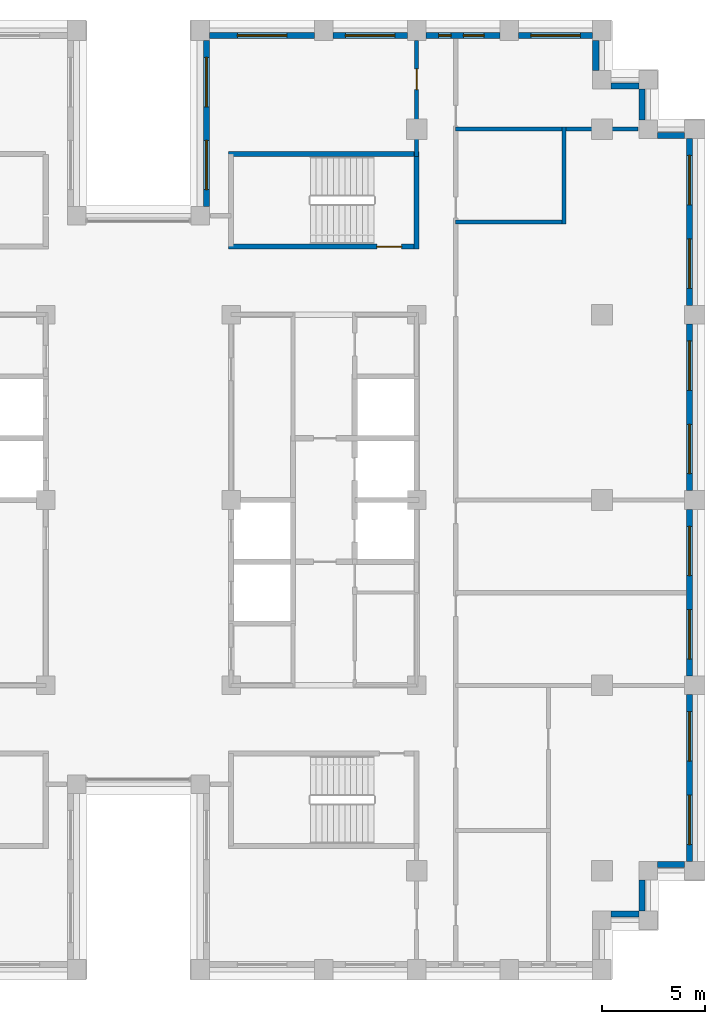
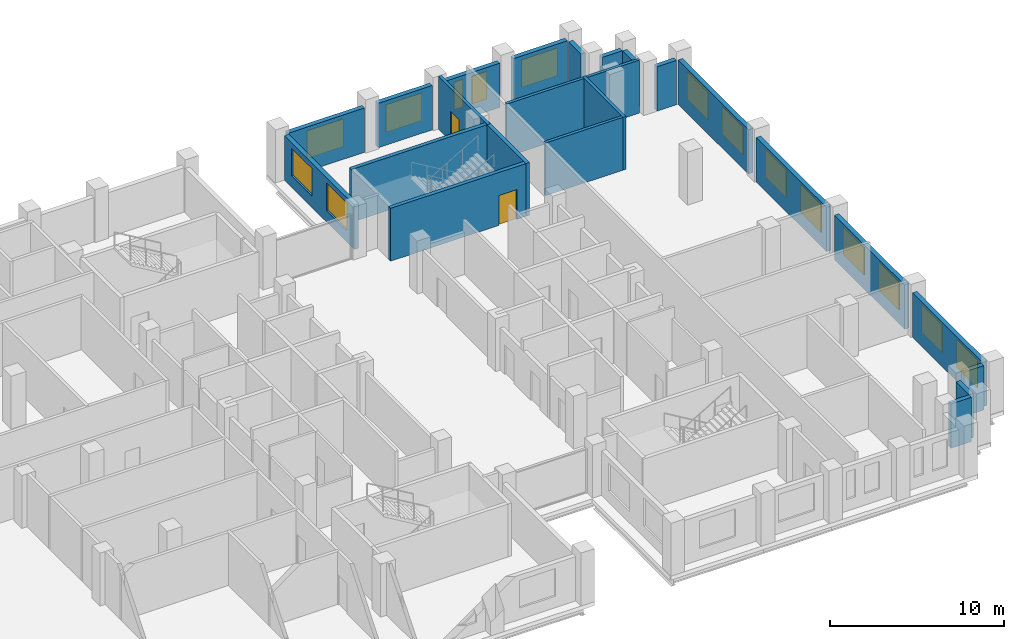
# One storey, part 11 of 15: 23 walls, 15 windows, 2 doors, 17 openings.
"""IFC4 building model written with IfcOpenShell, lengths in metres."""

from ifc_helpers import new_model, si_unit, direction, frame, frame_2d, origin, place, context, subcontext, project, spatial, rectangle, extrude, material, layer, layer_set, type_object, element, fill, save


model = new_model("IFC4")

# Units and contexts
model_context = context("Model", 3, precision=1e-05, world=origin(), true_north=direction((0.0, 1.0)))
body_context = subcontext(model_context, "Body", "Model", "MODEL_VIEW")
ifc_project = project(units=[si_unit("LENGTHUNIT", "METRE"), si_unit("AREAUNIT", "SQUARE_METRE"), si_unit("VOLUMEUNIT", "CUBIC_METRE"), si_unit("PLANEANGLEUNIT", "RADIAN"), si_unit("MASSUNIT", "GRAM", prefix="KILO")], contexts=[model_context])

# Site, building, storey
site_placement = place(None, origin())
site = spatial("IfcSite", under=ifc_project, at=site_placement, CompositionType="ELEMENT")
building_placement = place(site_placement, origin())
building = spatial("IfcBuilding", under=site, at=building_placement, Name="Corbelhall Arena Tower", CompositionType="ELEMENT")
storey_placement = place(building_placement, frame((0.0, 0.0, 212.0)))
storey = spatial("IfcBuildingStorey", under=building, at=storey_placement, Name="L44", CompositionType="ELEMENT", Elevation=212.0)

# Walls
ifc_material_1 = material(Name="Precast concrete C40/50 with granite facing", Category="masonry")
ifc_layer_1 = layer(ifc_material_1, 0.300048828125)
ifc_layer_set_1 = layer_set([ifc_layer_1], Name="EV-IW1 Infill panel 300")
wall_type_1 = type_object("IfcWallType", Name="EV-IW1 Infill panel 300", PredefinedType="SOLIDWALL", material=ifc_layer_set_1)
wall_1_placement = place(storey_placement, frame((22.949951171875, -20.10009765625, 0.0), z_axis=(0.0, 0.0, 1.0), x_axis=(1.0, 0.0, 0.0)))
element("IfcWall", 1, at=wall_1_placement, inside=storey, type_object=wall_type_1, Name="Infill panel IW1", PredefinedType="SOLIDWALL", context=body_context, shape_type="SweptSolid", body=[
    extrude(rectangle(XDim=1.35009765625, YDim=0.300048828125, at=frame_2d((0.675048828125, 0.0))), origin(), (0.0, 0.0, 1.0), 3.1201171875),
])
wall_2_placement = place(storey_placement, frame((24.449951171875, -19.949951171875, 0.0), z_axis=(0.0, 0.0, 1.0), x_axis=(0.0, 1.0, 0.0)))
element("IfcWall", 2, at=wall_2_placement, inside=storey, type_object=wall_type_1, Name="Infill panel IW1", PredefinedType="SOLIDWALL", context=body_context, shape_type="SweptSolid", body=[
    extrude(rectangle(XDim=1.5, YDim=0.300048828125, at=frame_2d((0.75, 0.0))), origin(), (0.0, 0.0, 1.0), 3.1201171875),
])
wall_3_placement = place(storey_placement, frame((25.199951171875, -17.699951171875, 0.0), z_axis=(0.0, 0.0, 1.0), x_axis=(1.0, 0.0, 0.0)))
element("IfcWall", 3, at=wall_3_placement, inside=storey, type_object=wall_type_1, Name="Infill panel IW1", PredefinedType="SOLIDWALL", context=body_context, shape_type="SweptSolid", body=[
    extrude(rectangle(XDim=1.300048828125, YDim=0.300048828125, at=frame_2d((0.64990234375, 0.0))), origin(), (0.0, 0.0, 1.0), 3.1201171875),
])

# Wall, openings, windows
wall_4_placement = place(storey_placement, frame((26.75, -17.550048828125, 0.0), z_axis=(0.0, 0.0, 1.0), x_axis=(0.0, 1.0, 0.0)))
wall_4 = element("IfcWall", 4, at=wall_4_placement, inside=storey, type_object=wall_type_1, Name="Infill panel IW1", PredefinedType="SOLIDWALL", context=body_context, shape_type="SweptSolid", body=[
    extrude(rectangle(XDim=8.10009765625, YDim=0.300048828125, at=frame_2d((4.050048828125, 0.0))), origin(), (0.0, 0.0, 1.0), 3.1201171875),
])
opening_1_placement = place(wall_4_placement, frame((0.824951171875, 0.0, 0.800048828125)))
opening_1 = element("IfcOpeningElement", 5, at=opening_1_placement, cuts=wall_4, Name="Opening WN1", PredefinedType="OPENING", context=body_context, shape_type="SweptSolid", body=[
    extrude(rectangle(XDim=2.39990234375, YDim=1.949951171875, at=frame_2d((1.199951171875, 0.97509765625))), frame((0.0, 0.14990234375, 0.0), z_axis=(0.0, -1.0, 0.0), x_axis=(1.0, 0.0, 0.0)), (0.0, 0.0, 1.0), 0.300048828125),
])
opening_2_placement = place(wall_4_placement, frame((4.875, 0.0, 0.800048828125)))
opening_2 = element("IfcOpeningElement", 6, at=opening_2_placement, cuts=wall_4, Name="Opening WN1", PredefinedType="OPENING", context=body_context, shape_type="SweptSolid", body=[
    extrude(rectangle(XDim=2.39990234375, YDim=1.949951171875, at=frame_2d((1.199951171875, 0.97509765625))), frame((0.0, 0.14990234375, 0.0), z_axis=(0.0, -1.0, 0.0), x_axis=(1.0, 0.0, 0.0)), (0.0, 0.0, 1.0), 0.300048828125),
])
ifc_material_2 = material(Name="Aluminium black anodised", Category="aluminium")
window_type_1 = type_object("IfcWindowType", Name="EV-WN1 Office window", PartitioningType="SINGLE_PANEL", PredefinedType="WINDOW", material=ifc_material_2)
window_1_placement = place(opening_1_placement, origin())
window_1 = element("IfcWindow", 7, at=window_1_placement, inside=storey, type_object=window_type_1, Name="Window WN1", OverallHeight=1.949951171875, OverallWidth=2.39990234375, PartitioningType="SINGLE_PANEL", PredefinedType="WINDOW", context=body_context, shape_type="SweptSolid", body=[
    extrude(rectangle(XDim=2.39990234375, YDim=1.949951171875, at=frame_2d((1.199951171875, 0.97509765625))), frame((0.0, 0.030029296875, 0.0), z_axis=(0.0, -1.0, 0.0), x_axis=(1.0, 0.0, 0.0)), (0.0, 0.0, 1.0), 0.06005859375),
])
fill(opening_1, window_1)
window_2_placement = place(opening_2_placement, origin())
window_2 = element("IfcWindow", 8, at=window_2_placement, inside=storey, type_object=window_type_1, Name="Window WN1", OverallHeight=1.949951171875, OverallWidth=2.39990234375, PartitioningType="SINGLE_PANEL", PredefinedType="WINDOW", context=body_context, shape_type="SweptSolid", body=[
    extrude(rectangle(XDim=2.39990234375, YDim=1.949951171875, at=frame_2d((1.199951171875, 0.97509765625))), frame((0.0, 0.030029296875, 0.0), z_axis=(0.0, -1.0, 0.0), x_axis=(1.0, 0.0, 0.0)), (0.0, 0.0, 1.0), 0.06005859375),
])
fill(opening_2, window_2)

wall_5_placement = place(storey_placement, frame((26.75, -8.550048828125, 0.0), z_axis=(0.0, 0.0, 1.0), x_axis=(0.0, 1.0, 0.0)))
wall_5 = element("IfcWall", 9, at=wall_5_placement, inside=storey, type_object=wall_type_1, Name="Infill panel IW1", PredefinedType="SOLIDWALL", context=body_context, shape_type="SweptSolid", body=[
    extrude(rectangle(XDim=8.10009765625, YDim=0.300048828125, at=frame_2d((4.050048828125, 0.0))), origin(), (0.0, 0.0, 1.0), 3.1201171875),
])
opening_3_placement = place(wall_5_placement, frame((0.824951171875, 0.0, 0.800048828125)))
opening_3 = element("IfcOpeningElement", 10, at=opening_3_placement, cuts=wall_5, Name="Opening WN1", PredefinedType="OPENING", context=body_context, shape_type="SweptSolid", body=[
    extrude(rectangle(XDim=2.39990234375, YDim=1.949951171875, at=frame_2d((1.199951171875, 0.97509765625))), frame((0.0, 0.14990234375, 0.0), z_axis=(0.0, -1.0, 0.0), x_axis=(1.0, 0.0, 0.0)), (0.0, 0.0, 1.0), 0.300048828125),
])
opening_4_placement = place(wall_5_placement, frame((4.875, 0.0, 0.800048828125)))
opening_4 = element("IfcOpeningElement", 11, at=opening_4_placement, cuts=wall_5, Name="Opening WN1", PredefinedType="OPENING", context=body_context, shape_type="SweptSolid", body=[
    extrude(rectangle(XDim=2.39990234375, YDim=1.949951171875, at=frame_2d((1.199951171875, 0.97509765625))), frame((0.0, 0.14990234375, 0.0), z_axis=(0.0, -1.0, 0.0), x_axis=(1.0, 0.0, 0.0)), (0.0, 0.0, 1.0), 0.300048828125),
])
window_3_placement = place(opening_3_placement, origin())
window_3 = element("IfcWindow", 12, at=window_3_placement, inside=storey, type_object=window_type_1, Name="Window WN1", OverallHeight=1.949951171875, OverallWidth=2.39990234375, PartitioningType="SINGLE_PANEL", PredefinedType="WINDOW", context=body_context, shape_type="SweptSolid", body=[
    extrude(rectangle(XDim=2.39990234375, YDim=1.949951171875, at=frame_2d((1.199951171875, 0.97509765625))), frame((0.0, 0.030029296875, 0.0), z_axis=(0.0, -1.0, 0.0), x_axis=(1.0, 0.0, 0.0)), (0.0, 0.0, 1.0), 0.06005859375),
])
fill(opening_3, window_3)
window_4_placement = place(opening_4_placement, origin())
window_4 = element("IfcWindow", 13, at=window_4_placement, inside=storey, type_object=window_type_1, Name="Window WN1", OverallHeight=1.949951171875, OverallWidth=2.39990234375, PartitioningType="SINGLE_PANEL", PredefinedType="WINDOW", context=body_context, shape_type="SweptSolid", body=[
    extrude(rectangle(XDim=2.39990234375, YDim=1.949951171875, at=frame_2d((1.199951171875, 0.97509765625))), frame((0.0, 0.030029296875, 0.0), z_axis=(0.0, -1.0, 0.0), x_axis=(1.0, 0.0, 0.0)), (0.0, 0.0, 1.0), 0.06005859375),
])
fill(opening_4, window_4)

wall_6_placement = place(storey_placement, frame((26.75, 0.449951171875, 0.0), z_axis=(0.0, 0.0, 1.0), x_axis=(0.0, 1.0, 0.0)))
wall_6 = element("IfcWall", 14, at=wall_6_placement, inside=storey, type_object=wall_type_1, Name="Infill panel IW1", PredefinedType="SOLIDWALL", context=body_context, shape_type="SweptSolid", body=[
    extrude(rectangle(XDim=8.10009765625, YDim=0.300048828125, at=frame_2d((4.050048828125, 0.0))), origin(), (0.0, 0.0, 1.0), 3.1201171875),
])
opening_5_placement = place(wall_6_placement, frame((0.824951171875, 0.0, 0.800048828125)))
opening_5 = element("IfcOpeningElement", 15, at=opening_5_placement, cuts=wall_6, Name="Opening WN1", PredefinedType="OPENING", context=body_context, shape_type="SweptSolid", body=[
    extrude(rectangle(XDim=2.39990234375, YDim=1.949951171875, at=frame_2d((1.199951171875, 0.97509765625))), frame((0.0, 0.14990234375, 0.0), z_axis=(0.0, -1.0, 0.0), x_axis=(1.0, 0.0, 0.0)), (0.0, 0.0, 1.0), 0.300048828125),
])
opening_6_placement = place(wall_6_placement, frame((4.875, 0.0, 0.800048828125)))
opening_6 = element("IfcOpeningElement", 16, at=opening_6_placement, cuts=wall_6, Name="Opening WN1", PredefinedType="OPENING", context=body_context, shape_type="SweptSolid", body=[
    extrude(rectangle(XDim=2.39990234375, YDim=1.949951171875, at=frame_2d((1.199951171875, 0.97509765625))), frame((0.0, 0.14990234375, 0.0), z_axis=(0.0, -1.0, 0.0), x_axis=(1.0, 0.0, 0.0)), (0.0, 0.0, 1.0), 0.300048828125),
])
window_5_placement = place(opening_5_placement, origin())
window_5 = element("IfcWindow", 17, at=window_5_placement, inside=storey, type_object=window_type_1, Name="Window WN1", OverallHeight=1.949951171875, OverallWidth=2.39990234375, PartitioningType="SINGLE_PANEL", PredefinedType="WINDOW", context=body_context, shape_type="SweptSolid", body=[
    extrude(rectangle(XDim=2.39990234375, YDim=1.949951171875, at=frame_2d((1.199951171875, 0.97509765625))), frame((0.0, 0.030029296875, 0.0), z_axis=(0.0, -1.0, 0.0), x_axis=(1.0, 0.0, 0.0)), (0.0, 0.0, 1.0), 0.06005859375),
])
fill(opening_5, window_5)
window_6_placement = place(opening_6_placement, origin())
window_6 = element("IfcWindow", 18, at=window_6_placement, inside=storey, type_object=window_type_1, Name="Window WN1", OverallHeight=1.949951171875, OverallWidth=2.39990234375, PartitioningType="SINGLE_PANEL", PredefinedType="WINDOW", context=body_context, shape_type="SweptSolid", body=[
    extrude(rectangle(XDim=2.39990234375, YDim=1.949951171875, at=frame_2d((1.199951171875, 0.97509765625))), frame((0.0, 0.030029296875, 0.0), z_axis=(0.0, -1.0, 0.0), x_axis=(1.0, 0.0, 0.0)), (0.0, 0.0, 1.0), 0.06005859375),
])
fill(opening_6, window_6)

wall_7_placement = place(storey_placement, frame((26.75, 9.449951171875, 0.0), z_axis=(0.0, 0.0, 1.0), x_axis=(0.0, 1.0, 0.0)))
wall_7 = element("IfcWall", 19, at=wall_7_placement, inside=storey, type_object=wall_type_1, Name="Infill panel IW1", PredefinedType="SOLIDWALL", context=body_context, shape_type="SweptSolid", body=[
    extrude(rectangle(XDim=8.10009765625, YDim=0.300048828125, at=frame_2d((4.050048828125, 0.0))), origin(), (0.0, 0.0, 1.0), 3.1201171875),
])
opening_7_placement = place(wall_7_placement, frame((0.824951171875, 0.0, 0.800048828125)))
opening_7 = element("IfcOpeningElement", 20, at=opening_7_placement, cuts=wall_7, Name="Opening WN1", PredefinedType="OPENING", context=body_context, shape_type="SweptSolid", body=[
    extrude(rectangle(XDim=2.39990234375, YDim=1.949951171875, at=frame_2d((1.199951171875, 0.97509765625))), frame((0.0, 0.14990234375, 0.0), z_axis=(0.0, -1.0, 0.0), x_axis=(1.0, 0.0, 0.0)), (0.0, 0.0, 1.0), 0.300048828125),
])
opening_8_placement = place(wall_7_placement, frame((4.875, 0.0, 0.800048828125)))
opening_8 = element("IfcOpeningElement", 21, at=opening_8_placement, cuts=wall_7, Name="Opening WN1", PredefinedType="OPENING", context=body_context, shape_type="SweptSolid", body=[
    extrude(rectangle(XDim=2.39990234375, YDim=1.949951171875, at=frame_2d((1.199951171875, 0.97509765625))), frame((0.0, 0.14990234375, 0.0), z_axis=(0.0, -1.0, 0.0), x_axis=(1.0, 0.0, 0.0)), (0.0, 0.0, 1.0), 0.300048828125),
])
window_7_placement = place(opening_7_placement, origin())
window_7 = element("IfcWindow", 22, at=window_7_placement, inside=storey, type_object=window_type_1, Name="Window WN1", OverallHeight=1.949951171875, OverallWidth=2.39990234375, PartitioningType="SINGLE_PANEL", PredefinedType="WINDOW", context=body_context, shape_type="SweptSolid", body=[
    extrude(rectangle(XDim=2.39990234375, YDim=1.949951171875, at=frame_2d((1.199951171875, 0.97509765625))), frame((0.0, 0.030029296875, 0.0), z_axis=(0.0, -1.0, 0.0), x_axis=(1.0, 0.0, 0.0)), (0.0, 0.0, 1.0), 0.06005859375),
])
fill(opening_7, window_7)
window_8_placement = place(opening_8_placement, origin())
window_8 = element("IfcWindow", 23, at=window_8_placement, inside=storey, type_object=window_type_1, Name="Window WN1", OverallHeight=1.949951171875, OverallWidth=2.39990234375, PartitioningType="SINGLE_PANEL", PredefinedType="WINDOW", context=body_context, shape_type="SweptSolid", body=[
    extrude(rectangle(XDim=2.39990234375, YDim=1.949951171875, at=frame_2d((1.199951171875, 0.97509765625))), frame((0.0, 0.030029296875, 0.0), z_axis=(0.0, -1.0, 0.0), x_axis=(1.0, 0.0, 0.0)), (0.0, 0.0, 1.0), 0.06005859375),
])
fill(opening_8, window_8)

# Walls
wall_8_placement = place(storey_placement, frame((26.5, 17.699951171875, 0.0), z_axis=(0.0, 0.0, 1.0), x_axis=(-1.0, 0.0, 0.0)))
element("IfcWall", 24, at=wall_8_placement, inside=storey, type_object=wall_type_1, Name="Infill panel IW1", PredefinedType="SOLIDWALL", context=body_context, shape_type="SweptSolid", body=[
    extrude(rectangle(XDim=1.300048828125, YDim=0.300048828125, at=frame_2d((0.64990234375, 0.0))), origin(), (0.0, 0.0, 1.0), 3.1201171875),
])
wall_9_placement = place(storey_placement, frame((24.449951171875, 18.449951171875, 0.0), z_axis=(0.0, 0.0, 1.0), x_axis=(0.0, 1.0, 0.0)))
element("IfcWall", 25, at=wall_9_placement, inside=storey, type_object=wall_type_1, Name="Infill panel IW1", PredefinedType="SOLIDWALL", context=body_context, shape_type="SweptSolid", body=[
    extrude(rectangle(XDim=1.5, YDim=0.300048828125, at=frame_2d((0.75, 0.0))), origin(), (0.0, 0.0, 1.0), 3.1201171875),
])
wall_10_placement = place(storey_placement, frame((24.300048828125, 20.10009765625, 0.0), z_axis=(0.0, 0.0, 1.0), x_axis=(-1.0, 0.0, 0.0)))
element("IfcWall", 26, at=wall_10_placement, inside=storey, type_object=wall_type_1, Name="Infill panel IW1", PredefinedType="SOLIDWALL", context=body_context, shape_type="SweptSolid", body=[
    extrude(rectangle(XDim=1.35009765625, YDim=0.300048828125, at=frame_2d((0.675048828125, 0.0))), origin(), (0.0, 0.0, 1.0), 3.1201171875),
])
wall_11_placement = place(storey_placement, frame((22.199951171875, 20.85009765625, 0.0), z_axis=(0.0, 0.0, 1.0), x_axis=(0.0, 1.0, 0.0)))
element("IfcWall", 27, at=wall_11_placement, inside=storey, type_object=wall_type_1, Name="Infill panel IW1", PredefinedType="SOLIDWALL", context=body_context, shape_type="SweptSolid", body=[
    extrude(rectangle(XDim=1.449951171875, YDim=0.300048828125, at=frame_2d((0.72509765625, 0.0))), origin(), (0.0, 0.0, 1.0), 3.1201171875),
])

# Wall, opening, window
wall_12_placement = place(storey_placement, frame((22.050048828125, 22.550048828125, 0.0), z_axis=(0.0, 0.0, 1.0), x_axis=(-1.0, 0.0, 0.0)))
wall_12 = element("IfcWall", 28, at=wall_12_placement, inside=storey, type_object=wall_type_1, Name="Infill panel IW1", PredefinedType="SOLIDWALL", context=body_context, shape_type="SweptSolid", body=[
    extrude(rectangle(XDim=3.60009765625, YDim=0.300048828125, at=frame_2d((1.800048828125, 0.0))), origin(), (0.0, 0.0, 1.0), 3.1201171875),
])
opening_9_placement = place(wall_12_placement, frame((0.60009765625, 0.0, 0.800048828125)))
opening_9 = element("IfcOpeningElement", 29, at=opening_9_placement, cuts=wall_12, Name="Opening WN1", PredefinedType="OPENING", context=body_context, shape_type="SweptSolid", body=[
    extrude(rectangle(XDim=2.39990234375, YDim=1.949951171875, at=frame_2d((1.199951171875, 0.97509765625))), frame((0.0, 0.14990234375, 0.0), z_axis=(0.0, -1.0, 0.0), x_axis=(1.0, 0.0, 0.0)), (0.0, 0.0, 1.0), 0.300048828125),
])
window_9_placement = place(opening_9_placement, origin())
window_9 = element("IfcWindow", 30, at=window_9_placement, inside=storey, type_object=window_type_1, Name="Window WN1", OverallHeight=1.949951171875, OverallWidth=2.39990234375, PartitioningType="SINGLE_PANEL", PredefinedType="WINDOW", context=body_context, shape_type="SweptSolid", body=[
    extrude(rectangle(XDim=2.39990234375, YDim=1.949951171875, at=frame_2d((1.199951171875, 0.97509765625))), frame((0.0, 0.030029296875, 0.0), z_axis=(0.0, -1.0, 0.0), x_axis=(1.0, 0.0, 0.0)), (0.0, 0.0, 1.0), 0.06005859375),
])
fill(opening_9, window_9)

# Wall, openings, windows
wall_13_placement = place(storey_placement, frame((17.550048828125, 22.550048828125, 0.0), z_axis=(0.0, 0.0, 1.0), x_axis=(-1.0, 0.0, 0.0)))
wall_13 = element("IfcWall", 31, at=wall_13_placement, inside=storey, type_object=wall_type_1, Name="Infill panel IW1", PredefinedType="SOLIDWALL", context=body_context, shape_type="SweptSolid", body=[
    extrude(rectangle(XDim=3.60009765625, YDim=0.300048828125, at=frame_2d((1.800048828125, 0.0))), origin(), (0.0, 0.0, 1.0), 3.1201171875),
])
opening_10_placement = place(wall_13_placement, frame((0.77490234375, 0.0, 0.800048828125)))
opening_10 = element("IfcOpeningElement", 32, at=opening_10_placement, cuts=wall_13, Name="Opening WN6", PredefinedType="OPENING", context=body_context, shape_type="SweptSolid", body=[
    extrude(rectangle(XDim=1.0, YDim=1.949951171875, at=frame_2d((0.5, 0.97509765625))), frame((0.0, 0.14990234375, 0.0), z_axis=(0.0, -1.0, 0.0), x_axis=(1.0, 0.0, 0.0)), (0.0, 0.0, 1.0), 0.300048828125),
])
opening_11_placement = place(wall_13_placement, frame((2.375, 0.0, 0.800048828125)))
opening_11 = element("IfcOpeningElement", 33, at=opening_11_placement, cuts=wall_13, Name="Opening WN5", PredefinedType="OPENING", context=body_context, shape_type="SweptSolid", body=[
    extrude(rectangle(XDim=0.60009765625, YDim=1.949951171875, at=frame_2d((0.300048828125, 0.97509765625))), frame((0.0, 0.14990234375, 0.0), z_axis=(0.0, -1.0, 0.0), x_axis=(1.0, 0.0, 0.0)), (0.0, 0.0, 1.0), 0.300048828125),
])
window_type_2 = type_object("IfcWindowType", Name="EV-WN5 Office window 600", PartitioningType="SINGLE_PANEL", PredefinedType="WINDOW", material=ifc_material_2)
window_10_placement = place(opening_11_placement, origin())
window_10 = element("IfcWindow", 34, at=window_10_placement, inside=storey, type_object=window_type_2, Name="Window WN5", OverallHeight=1.949951171875, OverallWidth=0.60009765625, PartitioningType="SINGLE_PANEL", PredefinedType="WINDOW", context=body_context, shape_type="SweptSolid", body=[
    extrude(rectangle(XDim=0.60009765625, YDim=1.949951171875, at=frame_2d((0.300048828125, 0.97509765625))), frame((0.0, 0.030029296875, 0.0), z_axis=(0.0, -1.0, 0.0), x_axis=(1.0, 0.0, 0.0)), (0.0, 0.0, 1.0), 0.06005859375),
])
fill(opening_11, window_10)
window_type_3 = type_object("IfcWindowType", Name="EV-WN6 Office window 1000", PartitioningType="SINGLE_PANEL", PredefinedType="WINDOW", material=ifc_material_2)
window_11_placement = place(opening_10_placement, origin())
window_11 = element("IfcWindow", 35, at=window_11_placement, inside=storey, type_object=window_type_3, Name="Window WN6", OverallHeight=1.949951171875, OverallWidth=1.0, PartitioningType="SINGLE_PANEL", PredefinedType="WINDOW", context=body_context, shape_type="SweptSolid", body=[
    extrude(rectangle(XDim=1.0, YDim=1.949951171875, at=frame_2d((0.5, 0.97509765625))), frame((0.0, 0.030029296875, 0.0), z_axis=(0.0, -1.0, 0.0), x_axis=(1.0, 0.0, 0.0)), (0.0, 0.0, 1.0), 0.06005859375),
])
fill(opening_10, window_11)

# Wall, opening, window
wall_14_placement = place(storey_placement, frame((13.050048828125, 22.550048828125, 0.0), z_axis=(0.0, 0.0, 1.0), x_axis=(-1.0, 0.0, 0.0)))
wall_14 = element("IfcWall", 36, at=wall_14_placement, inside=storey, type_object=wall_type_1, Name="Infill panel IW1", PredefinedType="SOLIDWALL", context=body_context, shape_type="SweptSolid", body=[
    extrude(rectangle(XDim=3.60009765625, YDim=0.300048828125, at=frame_2d((1.800048828125, 0.0))), origin(), (0.0, 0.0, 1.0), 3.1201171875),
])
opening_12_placement = place(wall_14_placement, frame((0.60009765625, 0.0, 0.800048828125)))
opening_12 = element("IfcOpeningElement", 37, at=opening_12_placement, cuts=wall_14, Name="Opening WN1", PredefinedType="OPENING", context=body_context, shape_type="SweptSolid", body=[
    extrude(rectangle(XDim=2.39990234375, YDim=1.949951171875, at=frame_2d((1.199951171875, 0.97509765625))), frame((0.0, 0.14990234375, 0.0), z_axis=(0.0, -1.0, 0.0), x_axis=(1.0, 0.0, 0.0)), (0.0, 0.0, 1.0), 0.300048828125),
])
window_12_placement = place(opening_12_placement, origin())
window_12 = element("IfcWindow", 38, at=window_12_placement, inside=storey, type_object=window_type_1, Name="Window WN1", OverallHeight=1.949951171875, OverallWidth=2.39990234375, PartitioningType="SINGLE_PANEL", PredefinedType="WINDOW", context=body_context, shape_type="SweptSolid", body=[
    extrude(rectangle(XDim=2.39990234375, YDim=1.949951171875, at=frame_2d((1.199951171875, 0.97509765625))), frame((0.0, 0.030029296875, 0.0), z_axis=(0.0, -1.0, 0.0), x_axis=(1.0, 0.0, 0.0)), (0.0, 0.0, 1.0), 0.06005859375),
])
fill(opening_12, window_12)

wall_15_placement = place(storey_placement, frame((8.550048828125, 22.550048828125, 0.0), z_axis=(0.0, 0.0, 1.0), x_axis=(-1.0, 0.0, 0.0)))
wall_15 = element("IfcWall", 39, at=wall_15_placement, inside=storey, type_object=wall_type_1, Name="Infill panel IW1", PredefinedType="SOLIDWALL", context=body_context, shape_type="SweptSolid", body=[
    extrude(rectangle(XDim=5.10009765625, YDim=0.300048828125, at=frame_2d((2.550048828125, 0.0))), origin(), (0.0, 0.0, 1.0), 3.1201171875),
])
opening_13_placement = place(wall_15_placement, frame((1.35009765625, 0.0, 0.800048828125)))
opening_13 = element("IfcOpeningElement", 40, at=opening_13_placement, cuts=wall_15, Name="Opening WN1", PredefinedType="OPENING", context=body_context, shape_type="SweptSolid", body=[
    extrude(rectangle(XDim=2.39990234375, YDim=1.949951171875, at=frame_2d((1.199951171875, 0.97509765625))), frame((0.0, 0.14990234375, 0.0), z_axis=(0.0, -1.0, 0.0), x_axis=(1.0, 0.0, 0.0)), (0.0, 0.0, 1.0), 0.300048828125),
])
window_13_placement = place(opening_13_placement, origin())
window_13 = element("IfcWindow", 41, at=window_13_placement, inside=storey, type_object=window_type_1, Name="Window WN1", OverallHeight=1.949951171875, OverallWidth=2.39990234375, PartitioningType="SINGLE_PANEL", PredefinedType="WINDOW", context=body_context, shape_type="SweptSolid", body=[
    extrude(rectangle(XDim=2.39990234375, YDim=1.949951171875, at=frame_2d((1.199951171875, 0.97509765625))), frame((0.0, 0.030029296875, 0.0), z_axis=(0.0, -1.0, 0.0), x_axis=(1.0, 0.0, 0.0)), (0.0, 0.0, 1.0), 0.06005859375),
])
fill(opening_13, window_13)

# Wall, openings, windows
wall_16_placement = place(storey_placement, frame((3.300048828125, 22.300048828125, 0.0), z_axis=(0.0, 0.0, 1.0), x_axis=(0.0, -1.0, 0.0)))
wall_16 = element("IfcWall", 42, at=wall_16_placement, inside=storey, type_object=wall_type_1, Name="Infill panel IW1", PredefinedType="SOLIDWALL", context=body_context, shape_type="SweptSolid", body=[
    extrude(rectangle(XDim=8.050048828125, YDim=0.300048828125, at=frame_2d((4.02490234375, 0.0))), origin(), (0.0, 0.0, 1.0), 3.1201171875),
])
opening_14_placement = place(wall_16_placement, frame((0.8125, 0.0, 0.800048828125)))
opening_14 = element("IfcOpeningElement", 43, at=opening_14_placement, cuts=wall_16, Name="Opening WN1", PredefinedType="OPENING", context=body_context, shape_type="SweptSolid", body=[
    extrude(rectangle(XDim=2.39990234375, YDim=1.949951171875, at=frame_2d((1.199951171875, 0.97509765625))), frame((0.0, 0.14990234375, 0.0), z_axis=(0.0, -1.0, 0.0), x_axis=(1.0, 0.0, 0.0)), (0.0, 0.0, 1.0), 0.300048828125),
])
opening_15_placement = place(wall_16_placement, frame((4.83740234375, 0.0, 0.800048828125)))
opening_15 = element("IfcOpeningElement", 44, at=opening_15_placement, cuts=wall_16, Name="Opening WN1", PredefinedType="OPENING", context=body_context, shape_type="SweptSolid", body=[
    extrude(rectangle(XDim=2.39990234375, YDim=1.949951171875, at=frame_2d((1.199951171875, 0.97509765625))), frame((0.0, 0.14990234375, 0.0), z_axis=(0.0, -1.0, 0.0), x_axis=(1.0, 0.0, 0.0)), (0.0, 0.0, 1.0), 0.300048828125),
])
window_14_placement = place(opening_14_placement, origin())
window_14 = element("IfcWindow", 45, at=window_14_placement, inside=storey, type_object=window_type_1, Name="Window WN1", OverallHeight=1.949951171875, OverallWidth=2.39990234375, PartitioningType="SINGLE_PANEL", PredefinedType="WINDOW", context=body_context, shape_type="SweptSolid", body=[
    extrude(rectangle(XDim=2.39990234375, YDim=1.949951171875, at=frame_2d((1.199951171875, 0.97509765625))), frame((0.0, 0.030029296875, 0.0), z_axis=(0.0, -1.0, 0.0), x_axis=(1.0, 0.0, 0.0)), (0.0, 0.0, 1.0), 0.06005859375),
])
fill(opening_14, window_14)
window_15_placement = place(opening_15_placement, origin())
window_15 = element("IfcWindow", 46, at=window_15_placement, inside=storey, type_object=window_type_1, Name="Window WN1", OverallHeight=1.949951171875, OverallWidth=2.39990234375, PartitioningType="SINGLE_PANEL", PredefinedType="WINDOW", context=body_context, shape_type="SweptSolid", body=[
    extrude(rectangle(XDim=2.39990234375, YDim=1.949951171875, at=frame_2d((1.199951171875, 0.97509765625))), frame((0.0, 0.030029296875, 0.0), z_axis=(0.0, -1.0, 0.0), x_axis=(1.0, 0.0, 0.0)), (0.0, 0.0, 1.0), 0.06005859375),
])
fill(opening_15, window_15)

# Wall, opening, door
ifc_material_3 = material(Name="Gypsum board on steel stud, acoustic", Category="steel")
ifc_layer_2 = layer(ifc_material_3, 0.199951171875)
ifc_layer_set_2 = layer_set([ifc_layer_2], Name="IN-W-DM200")
wall_type_2 = type_object("IfcWallType", Name="IN-W-DM200", PredefinedType="PARTITIONING", material=ifc_layer_set_2)
wall_17_placement = place(storey_placement, frame((13.5, 16.675048828125, 0.0), z_axis=(0.0, 0.0, 1.0), x_axis=(0.0, 1.0, 0.0)))
wall_17 = element("IfcWall", 47, at=wall_17_placement, inside=storey, type_object=wall_type_2, Name="Partition 024", PredefinedType="PARTITIONING", context=body_context, shape_type="SweptSolid", body=[
    extrude(rectangle(XDim=5.625, YDim=0.199951171875, at=frame_2d((2.8125, 0.0))), origin(), (0.0, 0.0, 1.0), 3.719970703125),
])
opening_16_placement = place(wall_17_placement, frame((3.25, 0.0, 0.0)))
opening_16 = element("IfcOpeningElement", 48, at=opening_16_placement, cuts=wall_17, Name="Opening 13021", PredefinedType="OPENING", context=body_context, shape_type="SweptSolid", body=[
    extrude(rectangle(XDim=1.0, YDim=2.10009765625, at=frame_2d((0.5, 1.050048828125))), frame((0.0, 0.10009765625, 0.0), z_axis=(0.0, -1.0, 0.0), x_axis=(1.0, 0.0, 0.0)), (0.0, 0.0, 1.0), 0.199951171875),
])
ifc_material_4 = material(Name="Steel door set", Category="steel")
door_type_1 = type_object("IfcDoorType", Name="IN-D-SW100", OperationType="NOTDEFINED", PredefinedType="DOOR", material=ifc_material_4)
door_1_placement = place(opening_16_placement, origin())
door_1 = element("IfcDoor", 49, at=door_1_placement, inside=storey, type_object=door_type_1, Name="Door 021", OperationType="SINGLE_SWING_RIGHT", OverallHeight=2.10009765625, OverallWidth=1.0, PredefinedType="DOOR", context=body_context, shape_type="SweptSolid", body=[
    extrude(rectangle(XDim=1.0, YDim=2.10009765625, at=frame_2d((0.5, 1.050048828125))), frame((0.0, 0.02490234375, 0.0), z_axis=(0.0, -1.0, 0.0), x_axis=(1.0, 0.0, 0.0)), (0.0, 0.0, 1.0), 0.050048828125),
])
fill(opening_16, door_1)

# Walls
wall_18_placement = place(storey_placement, frame((15.39990234375, 13.5, 0.0), z_axis=(0.0, 0.0, 1.0), x_axis=(1.0, 0.0, 0.0)))
element("IfcWall", 50, at=wall_18_placement, inside=storey, type_object=wall_type_2, Name="Partition 029", PredefinedType="PARTITIONING", context=body_context, shape_type="SweptSolid", body=[
    extrude(rectangle(XDim=5.25, YDim=0.199951171875, at=frame_2d((2.625, 0.0))), origin(), (0.0, 0.0, 1.0), 3.719970703125),
])
wall_19_placement = place(storey_placement, frame((15.39990234375, 18.0, 0.0), z_axis=(0.0, 0.0, 1.0), x_axis=(1.0, 0.0, 0.0)))
element("IfcWall", 51, at=wall_19_placement, inside=storey, type_object=wall_type_2, Name="Partition 030", PredefinedType="PARTITIONING", context=body_context, shape_type="SweptSolid", body=[
    extrude(rectangle(XDim=8.85009765625, YDim=0.199951171875, at=frame_2d((4.425048828125, 0.0))), origin(), (0.0, 0.0, 1.0), 3.719970703125),
])
wall_20_placement = place(storey_placement, frame((20.64990234375, 13.39990234375, 0.0), z_axis=(0.0, 0.0, 1.0), x_axis=(0.0, 1.0, 0.0)))
element("IfcWall", 52, at=wall_20_placement, inside=storey, type_object=wall_type_2, Name="Partition 032", PredefinedType="PARTITIONING", context=body_context, shape_type="SweptSolid", body=[
    extrude(rectangle(XDim=4.7001953125, YDim=0.199951171875, at=frame_2d((2.35009765625, 0.0))), origin(), (0.0, 0.0, 1.0), 3.719970703125),
])

# Wall, opening, door
ifc_material_5 = material(Name="Concrete C40/50", Category="concrete")
ifc_layer_3 = layer(ifc_material_5, 0.25)
ifc_layer_set_3 = layer_set([ifc_layer_3], Name="IN-W-ST250")
wall_type_3 = type_object("IfcWallType", Name="IN-W-ST250", PredefinedType="SOLIDWALL", material=ifc_layer_set_3)
wall_21_placement = place(storey_placement, frame((4.375, 12.300048828125, 0.0), z_axis=(0.0, 0.0, 1.0), x_axis=(1.0, 0.0, 0.0)))
wall_21 = element("IfcWall", 53, at=wall_21_placement, inside=storey, type_object=wall_type_3, Name="Shaft wall 090", PredefinedType="SOLIDWALL", context=body_context, shape_type="SweptSolid", body=[
    extrude(rectangle(XDim=9.125, YDim=0.25, at=frame_2d((4.5625, 0.0))), origin(), (0.0, 0.0, 1.0), 3.719970703125),
])
opening_17_placement = place(wall_21_placement, frame((7.199951171875, 0.0, 0.0)))
opening_17 = element("IfcOpeningElement", 54, at=opening_17_placement, cuts=wall_21, Name="Opening 13017", PredefinedType="OPENING", context=body_context, shape_type="SweptSolid", body=[
    extrude(rectangle(XDim=1.199951171875, YDim=2.10009765625, at=frame_2d((0.60009765625, 1.050048828125))), frame((0.0, 0.125, 0.0), z_axis=(0.0, -1.0, 0.0), x_axis=(1.0, 0.0, 0.0)), (0.0, 0.0, 1.0), 0.25),
])
door_type_2 = type_object("IfcDoorType", Name="IN-D-ST120", OperationType="NOTDEFINED", PredefinedType="DOOR", material=ifc_material_4)
door_2_placement = place(opening_17_placement, origin())
door_2 = element("IfcDoor", 55, at=door_2_placement, inside=storey, type_object=door_type_2, Name="Door 017", OperationType="SINGLE_SWING_RIGHT", OverallHeight=2.10009765625, OverallWidth=1.199951171875, PredefinedType="DOOR", context=body_context, shape_type="SweptSolid", body=[
    extrude(rectangle(XDim=1.199951171875, YDim=2.10009765625, at=frame_2d((0.60009765625, 1.050048828125))), frame((0.0, 0.02490234375, 0.0), z_axis=(0.0, -1.0, 0.0), x_axis=(1.0, 0.0, 0.0)), (0.0, 0.0, 1.0), 0.050048828125),
])
fill(opening_17, door_2)

# Walls
wall_22_placement = place(storey_placement, frame((4.375, 16.800048828125, 0.0), z_axis=(0.0, 0.0, 1.0), x_axis=(1.0, 0.0, 0.0)))
element("IfcWall", 56, at=wall_22_placement, inside=storey, type_object=wall_type_3, Name="Shaft wall 091", PredefinedType="SOLIDWALL", context=body_context, shape_type="SweptSolid", body=[
    extrude(rectangle(XDim=9.125, YDim=0.25, at=frame_2d((4.5625, 0.0))), origin(), (0.0, 0.0, 1.0), 3.719970703125),
])
wall_23_placement = place(storey_placement, frame((13.5, 12.175048828125, 0.0), z_axis=(0.0, 0.0, 1.0), x_axis=(0.0, 1.0, 0.0)))
element("IfcWall", 57, at=wall_23_placement, inside=storey, type_object=wall_type_3, Name="Shaft wall 097", PredefinedType="SOLIDWALL", context=body_context, shape_type="SweptSolid", body=[
    extrude(rectangle(XDim=4.75, YDim=0.25, at=frame_2d((2.375, 0.0))), origin(), (0.0, 0.0, 1.0), 3.719970703125),
])

save(model, "model.ifc")
